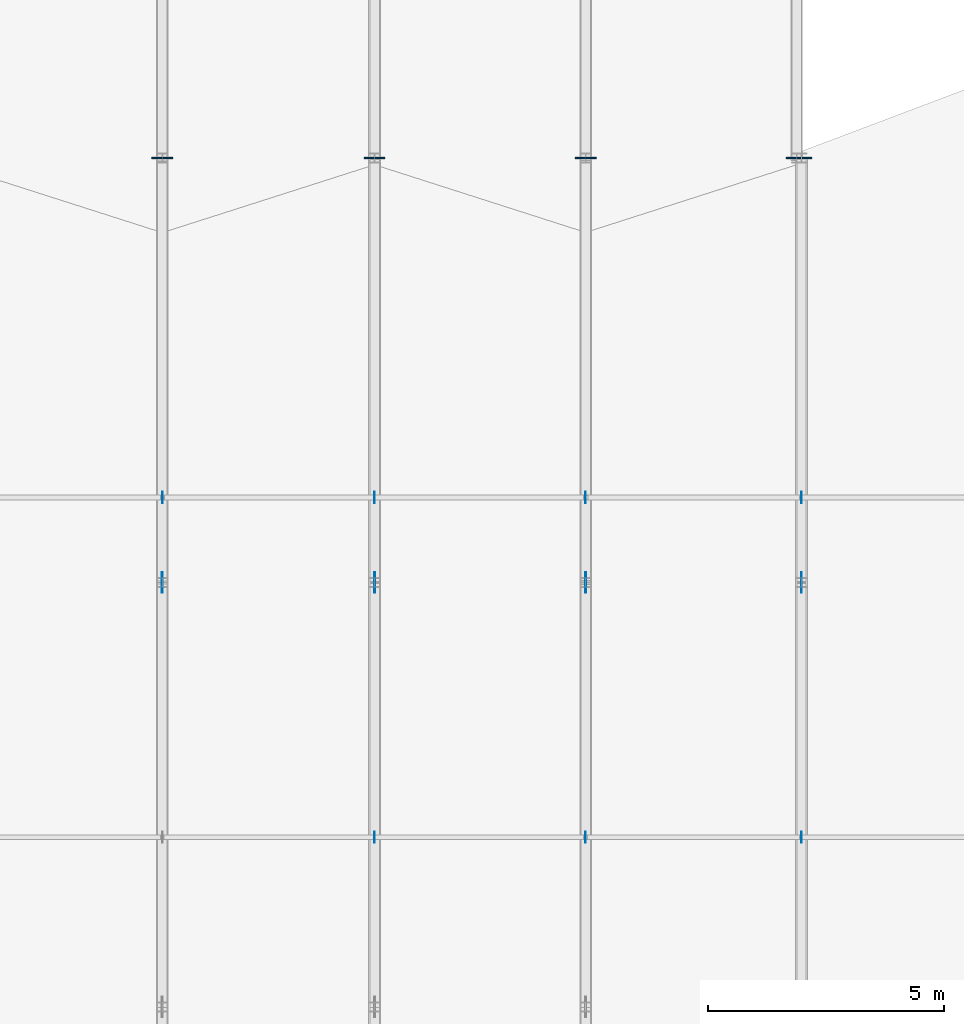
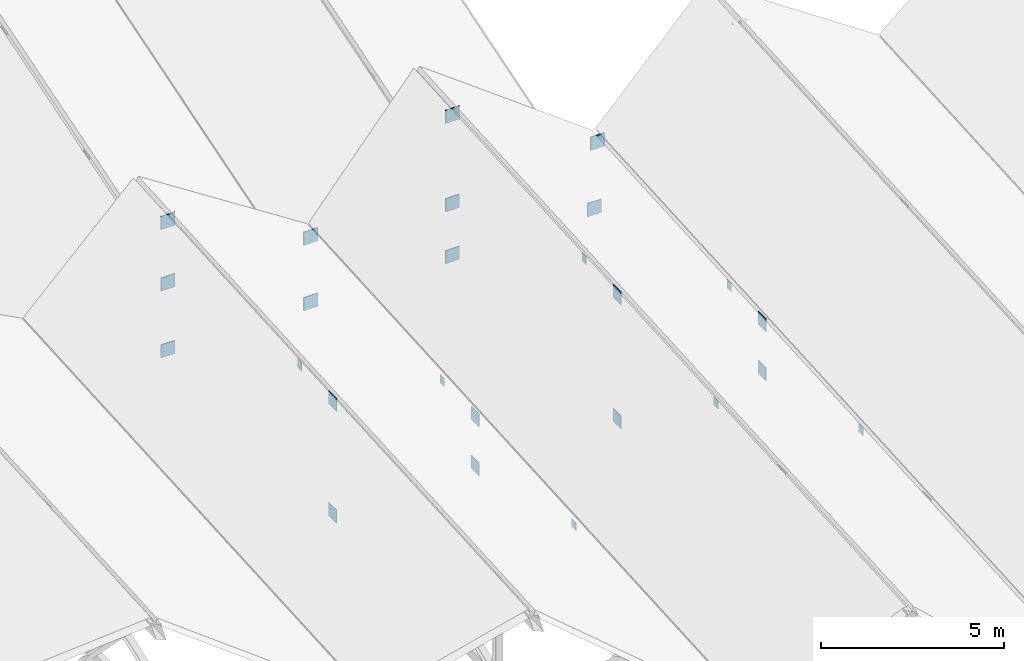
# One storey, part 121 of 142: 25 plates.
"""IFC4 building model written with IfcOpenShell, lengths in metres."""

from ifc_helpers import new_model, si_unit, direction, frame, origin, origin_2d, place, context, subcontext, project, spatial, rectangle, extrude, material, layer, layer_set, type_object, element, save


model = new_model("IFC4")

# Units and contexts
model_context = context("Model", 3, precision=1e-05, world=origin(), true_north=direction((0.0, 1.0)))
body_context = subcontext(model_context, "Body", "Model", "MODEL_VIEW")
ifc_project = project(units=[si_unit("LENGTHUNIT", "METRE"), si_unit("AREAUNIT", "SQUARE_METRE"), si_unit("VOLUMEUNIT", "CUBIC_METRE"), si_unit("PLANEANGLEUNIT", "RADIAN"), si_unit("MASSUNIT", "GRAM", prefix="KILO")], contexts=[model_context])

# Site, building, storey
site_placement = place(None, origin())
site = spatial("IfcSite", under=ifc_project, at=site_placement, CompositionType="ELEMENT")
building_placement = place(site_placement, origin())
building = spatial("IfcBuilding", under=site, at=building_placement, Name="Montelvaro Courts of Justice", CompositionType="ELEMENT")
storey_placement = place(building_placement, frame((0.0, 0.0, 14.39990234375)))
storey = spatial("IfcBuildingStorey", under=building, at=storey_placement, Name="L03", CompositionType="ELEMENT", Elevation=14.39990234375)

# Plates
ifc_material = material(Name="Steel S355", Category="steel")
ifc_layer_1 = layer(ifc_material, 0.011962890625)
ifc_layer_set_1 = layer_set([ifc_layer_1], Name="Steel S355")
plate_type_1 = type_object("IfcPlateType", Name="EndCapPlate_12", PredefinedType="USERDEFINED", material=ifc_layer_set_1)
for number, where, z_axis, x_axis, name in (
    (1, (72.0, 63.60009765625, 0.85986328125), (0.0, 0.0, 1.0), (1.0, 0.0, 0.0), "Purlin End Cap Plate CP-01 02-3R-B"),
    (2, (67.5, 70.800048828125, 3.39990234375), (0.0, 0.0, 1.0), (1.0, 0.0, 0.0), "Purlin End Cap Plate CP-01 02-4L-B"),
    (3, (72.0, 70.800048828125, 1.30029296875), (0.0, 0.0, 1.0), (1.0, 0.0, 0.0), "Purlin End Cap Plate CP-01 02-4R-B"),
    (4, (76.47509765625, 63.60009765625, 3.35986328125), (0.0, 0.0, 1.0), (1.0, 0.0, 0.0), "Purlin End Cap Plate CP-01 03-3L-B"),
    (5, (81.050048828125, 63.60009765625, 0.85986328125), (0.0, 0.0, 1.0), (1.0, 0.0, 0.0), "Purlin End Cap Plate CP-01 03-3R-B"),
    (6, (76.47509765625, 70.800048828125, 3.80029296875), (0.0, 0.0, 1.0), (1.0, 0.0, 0.0), "Purlin End Cap Plate CP-01 03-4L-B"),
    (7, (81.050048828125, 70.800048828125, 1.30029296875), (0.0, 0.0, 1.0), (1.0, 0.0, 0.0), "Purlin End Cap Plate CP-01 03-4R-B"),
):
    element("IfcPlate", number, at=place(storey_placement, frame(where, z_axis=z_axis, x_axis=x_axis)), inside=storey, type_object=plate_type_1, Name=name, ObjectType="GUSSET PLATE", PredefinedType="USERDEFINED", context=body_context, shape_type="SweptSolid", body=[
        extrude(rectangle(XDim=0.011962890625, YDim=0.239990234375, at=origin_2d()), origin(), (0.0, 0.0, 1.0), 0.280029296875),
    ])
ifc_layer_2 = layer(ifc_material, 0.035888671875)
ifc_layer_set_2 = layer_set([ifc_layer_2], Name="Steel S355")
plate_type_2 = type_object("IfcPlateType", Name="EndCapPlate_36", PredefinedType="USERDEFINED", material=ifc_layer_set_2)
for number, where, z_axis, x_axis, name in (
    (8, (72.0, 78.0, -0.519775390625), (0.0, 0.0, 1.0), (1.0, 0.0, 0.0), "Roof Truss End Cap Plate CP-02 ROOF-V1-VTR07-B0"),
    (9, (80.949951171875, 78.0, -0.519775390625), (0.0, 0.0, 1.0), (1.0, 0.0, 0.0), "Roof Truss End Cap Plate CP-02 ROOF-V1-VTR08-B0"),
    (10, (67.5, 78.0, -0.519775390625), (0.0, 0.0, 1.0), (1.0, 0.0, 0.0), "Roof Truss End Cap Plate CP-02 ROOF-V1-RTR06-B0"),
    (11, (67.5, 78.0, 1.710205078125), (0.0, 0.0, 1.0), (1.0, 0.0, 0.0), "Roof Truss End Cap Plate CP-02 ROOF-V1-RTR06-T0"),
    (12, (76.47509765625, 78.0, -0.519775390625), (0.0, 0.0, 1.0), (1.0, 0.0, 0.0), "Roof Truss End Cap Plate CP-02 ROOF-V1-RTR07-B0"),
    (13, (76.47509765625, 78.0, 1.210205078125), (0.0, 0.0, 1.0), (1.0, 0.0, 0.0), "Roof Truss End Cap Plate CP-02 ROOF-V1-RTR07-T0"),
    (14, (72.0, 78.0, 1.66015625), (0.0, 0.0, 1.0), (1.0, 0.0, 0.0), "Roof Truss End Cap Plate CP-02 ROOF-PASSAGE-VTR03-T1"),
    (15, (81.050048828125, 78.0, 1.66015625), (0.0, 0.0, 1.0), (1.0, 0.0, 0.0), "Roof Truss End Cap Plate CP-02 ROOF-PASSAGE-VTR04-T1"),
    (16, (67.5, 78.0, 3.760009765625), (0.0, 0.0, 1.0), (1.0, 0.0, 0.0), "Roof Truss End Cap Plate CP-02 ROOF-PASSAGE-RTR02-T1"),
    (17, (76.47509765625, 78.0, 4.16015625), (0.0, 0.0, 1.0), (1.0, 0.0, 0.0), "Roof Truss End Cap Plate CP-02 ROOF-PASSAGE-RTR03-T1"),
):
    element("IfcPlate", number, at=place(storey_placement, frame(where, z_axis=z_axis, x_axis=x_axis)), inside=storey, type_object=plate_type_2, Name=name, ObjectType="GUSSET PLATE", PredefinedType="USERDEFINED", context=body_context, shape_type="SweptSolid", body=[
        extrude(rectangle(XDim=0.43994140625, YDim=0.035888671875, at=origin_2d()), origin(), (0.0, 0.0, 1.0), 0.43994140625),
    ])
ifc_layer_3 = layer(ifc_material, 0.02001953125)
ifc_layer_set_3 = layer_set([ifc_layer_3], Name="Steel S355")
plate_type_3 = type_object("IfcPlateType", Name="GussetPlate_20", PredefinedType="USERDEFINED", material=ifc_layer_set_3)
for number, where, z_axis, x_axis, name in (
    (18, (72.0, 69.0, -0.519775390625), (0.0, 0.0, 1.0), (1.0, 0.0, 0.0), "Roof Truss Gusset Plate GP-01 ROOF-PASSAGE-VTR03-3B"),
    (19, (72.0, 69.0, 1.110107421875), (0.0, 0.0, 1.0), (1.0, 0.0, 0.0), "Roof Truss Gusset Plate GP-01 ROOF-PASSAGE-VTR03-3T"),
    (20, (81.050048828125, 69.0, -0.519775390625), (0.0, 0.0, 1.0), (1.0, 0.0, 0.0), "Roof Truss Gusset Plate GP-01 ROOF-PASSAGE-VTR04-3B"),
    (21, (81.050048828125, 69.0, 1.110107421875), (0.0, 0.0, 1.0), (1.0, 0.0, 0.0), "Roof Truss Gusset Plate GP-01 ROOF-PASSAGE-VTR04-3T"),
    (22, (67.5, 69.0, -0.519775390625), (0.0, 0.0, 1.0), (1.0, 0.0, 0.0), "Roof Truss Gusset Plate GP-01 ROOF-PASSAGE-RTR02-3B"),
    (23, (67.5, 69.0, 3.210205078125), (0.0, 0.0, 1.0), (1.0, 0.0, 0.0), "Roof Truss Gusset Plate GP-01 ROOF-PASSAGE-RTR02-3T"),
    (24, (76.47509765625, 69.0, -0.519775390625), (0.0, 0.0, 1.0), (1.0, 0.0, 0.0), "Roof Truss Gusset Plate GP-01 ROOF-PASSAGE-RTR03-3B"),
    (25, (76.47509765625, 69.0, 3.610107421875), (0.0, 0.0, 1.0), (1.0, 0.0, 0.0), "Roof Truss Gusset Plate GP-01 ROOF-PASSAGE-RTR03-3T"),
):
    element("IfcPlate", number, at=place(storey_placement, frame(where, z_axis=z_axis, x_axis=x_axis)), inside=storey, type_object=plate_type_3, Name=name, ObjectType="GUSSET PLATE", PredefinedType="USERDEFINED", context=body_context, shape_type="SweptSolid", body=[
        extrude(rectangle(XDim=0.02001953125, YDim=0.43994140625, at=origin_2d()), origin(), (0.0, 0.0, 1.0), 0.43994140625),
    ])

save(model, "model.ifc")
